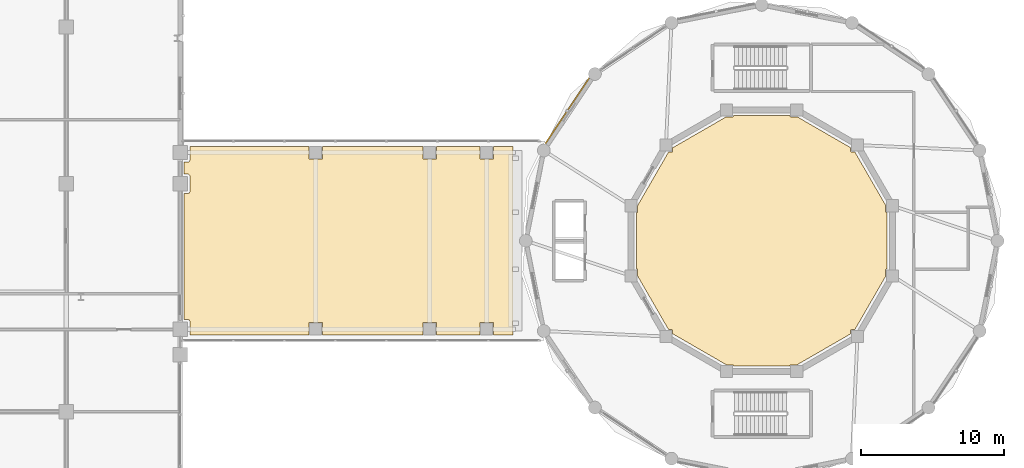
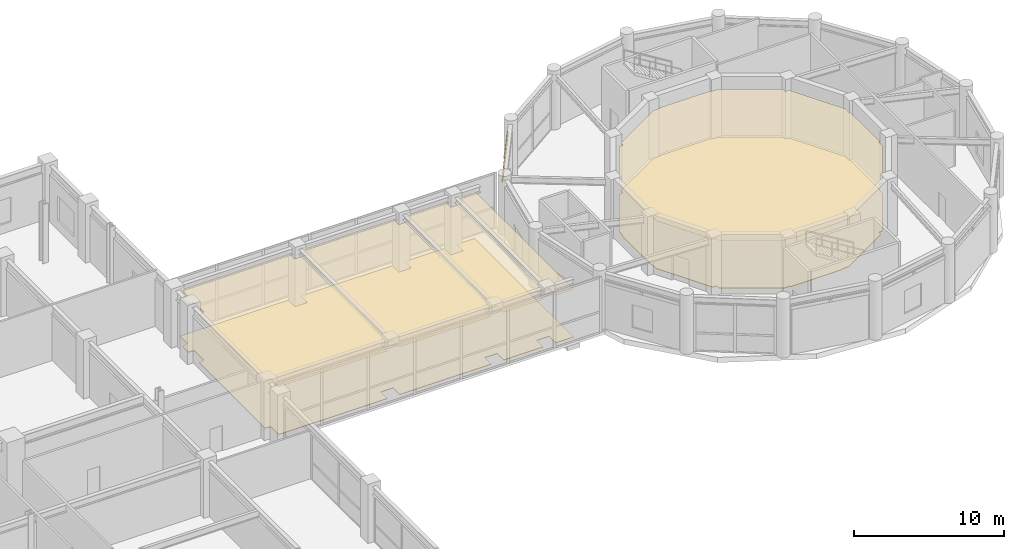
# One storey, part 46 of 48: 4 coverings, 1 shading device.
"""IFC4 building model written with IfcOpenShell, lengths in metres."""

from ifc_helpers import new_model, si_unit, derived_unit, direction, frame, origin, origin_2d, place, context, subcontext, project, spatial, polyline, hollow_rectangle, outline, extrude, source, transform, mapped, material, layer, layer_set, material_profile, profile_set, type_object, element, save


model = new_model("IFC4")

# Units and contexts
model_context = context("Model", 3, precision=1e-05, world=origin(), true_north=direction((0.0, 1.0)))
body_context = subcontext(model_context, "Body", "Model", "MODEL_VIEW")
ifc_project = project(units=[si_unit("LENGTHUNIT", "METRE"), si_unit("AREAUNIT", "SQUARE_METRE"), si_unit("VOLUMEUNIT", "CUBIC_METRE"), si_unit("PLANEANGLEUNIT", "RADIAN"), si_unit("MASSUNIT", "GRAM", prefix="KILO"), derived_unit("THERMALTRANSMITTANCEUNIT", [(si_unit("POWERUNIT", "WATT"), 1), (si_unit("LENGTHUNIT", "METRE"), -2), (si_unit("THERMODYNAMICTEMPERATUREUNIT", "KELVIN"), -1)])], contexts=[model_context])

# Site, building, storey
site_placement = place(None, origin())
site = spatial("IfcSite", under=ifc_project, at=site_placement, CompositionType="ELEMENT")
building_placement = place(site_placement, origin())
building = spatial("IfcBuilding", under=site, at=building_placement, Name="Korsvarv Bourse and Concert Hall", CompositionType="ELEMENT")
storey_placement = place(building_placement, frame((0.0, 0.0, 4.800048828125)))
storey = spatial("IfcBuildingStorey", under=building, at=storey_placement, Name="L01", CompositionType="ELEMENT", Elevation=4.800048828125)

# Coverings
ifc_material_1 = material(Name="Perforated mineral-wool and birch acoustic baffle ceiling", Category="wood")
ifc_layer_1 = layer(ifc_material_1, 0.02490234375)
ifc_layer_set_1 = layer_set([ifc_layer_1], Name="Perforated mineral-wool and birch acoustic baffle ceiling")
covering_type_1 = type_object("IfcCoveringType", Name="COV-CEIL-1", PredefinedType="CEILING", material=ifc_layer_set_1)
covering_1_placement = place(storey_placement, frame((0.0, 0.0, 3.89990234375)))
element("IfcCovering", 1, at=covering_1_placement, inside=storey, type_object=covering_type_1, Name="L01 acoustic baffle ceiling 1", PredefinedType="CEILING", context=body_context, shape_type="SweptSolid", body=[
    extrude(outline(polyline([(66.68994140625, 30.298095703125), (66.68701171875, 30.3330078125), (66.67724609375, 30.36669921875), (66.6611328125, 30.397705078125), (66.639404296875, 30.42529296875), (66.61279296875, 30.44775390625), (66.582275390625, 30.46484375), (66.548828125, 30.4755859375), (66.51416015625, 30.47998046875), (66.260009765625, 30.48583984375), (66.260009765625, 39.31005859375), (66.5, 39.31005859375), (66.534912109375, 39.3134765625), (66.568603515625, 39.323486328125), (66.599365234375, 39.340087890625), (66.626708984375, 39.362060546875), (66.64892578125, 39.38916015625), (66.665771484375, 39.419921875), (66.67626953125, 39.453369140625), (66.679931640625, 39.48828125), (66.68994140625, 40.498291015625), (66.68701171875, 40.533203125), (66.67724609375, 40.566650390625), (66.6611328125, 40.597900390625), (66.639404296875, 40.625244140625), (66.61279296875, 40.647705078125), (66.582275390625, 40.664794921875), (66.548828125, 40.67578125), (66.51416015625, 40.679931640625), (66.260009765625, 40.685791015625), (66.260009765625, 41.510009765625), (66.5, 41.510009765625), (66.534912109375, 41.513427734375), (66.568603515625, 41.5234375), (66.599365234375, 41.5400390625), (66.626708984375, 41.56201171875), (66.64892578125, 41.589111328125), (66.665771484375, 41.619873046875), (66.67626953125, 41.6533203125), (66.679931640625, 41.688232421875), (66.68896484375, 42.60009765625), (75.02490234375, 42.60009765625), (75.02490234375, 41.77490234375), (75.031005859375, 41.75146484375), (75.047119140625, 41.7333984375), (75.070068359375, 41.72509765625), (75.925048828125, 41.72509765625), (75.948486328125, 41.73095703125), (75.966552734375, 41.747314453125), (75.974853515625, 41.77001953125), (75.97509765625, 42.60009765625), (83.02490234375, 42.60009765625), (83.02490234375, 41.77490234375), (83.031005859375, 41.75146484375), (83.047119140625, 41.7333984375), (83.070068359375, 41.72509765625), (83.925048828125, 41.72509765625), (83.948486328125, 41.73095703125), (83.966552734375, 41.747314453125), (83.974853515625, 41.77001953125), (83.97509765625, 42.60009765625), (87.02490234375, 42.60009765625), (87.02490234375, 41.77490234375), (87.031005859375, 41.75146484375), (87.047119140625, 41.7333984375), (87.070068359375, 41.72509765625), (87.925048828125, 41.72509765625), (87.948486328125, 41.73095703125), (87.966552734375, 41.747314453125), (87.974853515625, 41.77001953125), (87.97509765625, 42.60009765625), (89.35009765625, 42.60009765625), (89.35009765625, 29.39990234375), (87.97509765625, 29.39990234375), (87.97509765625, 30.22509765625), (87.968994140625, 30.24853515625), (87.952880859375, 30.2666015625), (87.929931640625, 30.27490234375), (87.074951171875, 30.27490234375), (87.051513671875, 30.26904296875), (87.033447265625, 30.252685546875), (87.025146484375, 30.22998046875), (87.02490234375, 29.39990234375), (83.97509765625, 29.39990234375), (83.97509765625, 30.22509765625), (83.968994140625, 30.24853515625), (83.952880859375, 30.2666015625), (83.929931640625, 30.27490234375), (83.074951171875, 30.27490234375), (83.051513671875, 30.26904296875), (83.033447265625, 30.252685546875), (83.025146484375, 30.22998046875), (83.02490234375, 29.39990234375), (75.97509765625, 29.39990234375), (75.97509765625, 30.22509765625), (75.968994140625, 30.24853515625), (75.952880859375, 30.2666015625), (75.929931640625, 30.27490234375), (75.074951171875, 30.27490234375), (75.051513671875, 30.26904296875), (75.033447265625, 30.252685546875), (75.025146484375, 30.22998046875), (75.02490234375, 29.39990234375), (66.68115234375, 29.39990234375), (66.68994140625, 30.298095703125)])), origin(), (0.0, 0.0, 1.0), 0.025146484375),
])
covering_2_placement = place(storey_placement, frame((0.0, 0.0, 3.89990234375)))
element("IfcCovering", 2, at=covering_2_placement, inside=storey, type_object=covering_type_1, Name="L01 acoustic baffle ceiling 3", PredefinedType="CEILING", context=body_context, shape_type="SweptSolid", body=[
    extrude(outline(polyline([(115.576416015625, 34.01611328125), (115.55126953125, 34.01611328125), (115.527587890625, 34.01025390625), (115.509765625, 33.993896484375), (115.50146484375, 33.97119140625), (115.501220703125, 33.518310546875), (113.329833984375, 29.757568359375), (113.092529296875, 29.757568359375), (113.06884765625, 29.751708984375), (113.05078125, 29.7353515625), (113.042724609375, 29.71240234375), (113.04248046875, 29.47021484375), (109.281494140625, 27.298583984375), (108.833740234375, 27.298583984375), (108.810302734375, 27.292724609375), (108.792236328125, 27.276611328125), (108.783935546875, 27.253662109375), (108.78369140625, 27.2236328125), (104.816162109375, 27.2236328125), (104.816162109375, 27.248779296875), (104.810302734375, 27.272216796875), (104.7939453125, 27.290283203125), (104.77099609375, 27.298583984375), (104.318359375, 27.298583984375), (100.5576171875, 29.47021484375), (100.5576171875, 29.70751953125), (100.551513671875, 29.731201171875), (100.535400390625, 29.7490234375), (100.512451171875, 29.75732421875), (100.270263671875, 29.757568359375), (98.0986328125, 33.518310546875), (98.0986328125, 33.96630859375), (98.0927734375, 33.98974609375), (98.076416015625, 34.0078125), (98.0537109375, 34.01611328125), (98.023681640625, 34.01611328125), (98.023681640625, 37.98388671875), (98.048583984375, 37.98388671875), (98.072265625, 37.98974609375), (98.09033203125, 38.006103515625), (98.098388671875, 38.02880859375), (98.0986328125, 38.481689453125), (100.270263671875, 42.242431640625), (100.507568359375, 42.242431640625), (100.531005859375, 42.248291015625), (100.549072265625, 42.2646484375), (100.557373046875, 42.28759765625), (100.5576171875, 42.52978515625), (104.318359375, 44.701416015625), (104.76611328125, 44.701416015625), (104.789794921875, 44.707275390625), (104.807861328125, 44.723388671875), (104.81591796875, 44.746337890625), (104.816162109375, 44.7763671875), (108.78369140625, 44.7763671875), (108.78369140625, 44.751220703125), (108.789794921875, 44.727783203125), (108.805908203125, 44.709716796875), (108.828857421875, 44.701416015625), (109.281494140625, 44.701416015625), (113.04248046875, 42.52978515625), (113.04248046875, 42.29248046875), (113.04833984375, 42.268798828125), (113.064697265625, 42.2509765625), (113.087646484375, 42.24267578125), (113.329833984375, 42.242431640625), (115.501220703125, 38.481689453125), (115.501220703125, 38.03369140625), (115.507080078125, 38.01025390625), (115.5234375, 37.9921875), (115.54638671875, 37.98388671875), (115.576416015625, 37.98388671875), (115.576416015625, 34.01611328125)])), origin(), (0.0, 0.0, 1.0), 0.025146484375),
])
ifc_material_2 = material(Name="Calcium-sulphate raised access trading floor with Nordic oak top", Category="wood")
ifc_layer_2 = layer(ifc_material_2, 0.0400390625)
ifc_layer_set_2 = layer_set([ifc_layer_2], Name="Calcium-sulphate raised access trading floor with Nordic oak top")
covering_type_2 = type_object("IfcCoveringType", Name="COV-FLOR-1", PredefinedType="FLOORING", material=ifc_layer_set_2)
covering_3_placement = place(storey_placement, origin())
element("IfcCovering", 3, at=covering_3_placement, inside=storey, type_object=covering_type_2, Name="L01 raised access oak floor finish 1", PredefinedType="FLOORING", context=body_context, shape_type="SweptSolid", body=[
    extrude(outline(polyline([(66.68994140625, 30.298095703125), (66.68701171875, 30.3330078125), (66.67724609375, 30.36669921875), (66.6611328125, 30.397705078125), (66.639404296875, 30.42529296875), (66.61279296875, 30.44775390625), (66.582275390625, 30.46484375), (66.548828125, 30.4755859375), (66.51416015625, 30.47998046875), (66.260009765625, 30.48583984375), (66.260009765625, 39.31005859375), (66.5, 39.31005859375), (66.534912109375, 39.3134765625), (66.568603515625, 39.323486328125), (66.599365234375, 39.340087890625), (66.626708984375, 39.362060546875), (66.64892578125, 39.38916015625), (66.665771484375, 39.419921875), (66.67626953125, 39.453369140625), (66.679931640625, 39.48828125), (66.68994140625, 40.498291015625), (66.68701171875, 40.533203125), (66.67724609375, 40.566650390625), (66.6611328125, 40.597900390625), (66.639404296875, 40.625244140625), (66.61279296875, 40.647705078125), (66.582275390625, 40.664794921875), (66.548828125, 40.67578125), (66.51416015625, 40.679931640625), (66.260009765625, 40.685791015625), (66.260009765625, 41.510009765625), (66.5, 41.510009765625), (66.534912109375, 41.513427734375), (66.568603515625, 41.5234375), (66.599365234375, 41.5400390625), (66.626708984375, 41.56201171875), (66.64892578125, 41.589111328125), (66.665771484375, 41.619873046875), (66.67626953125, 41.6533203125), (66.679931640625, 41.688232421875), (66.68896484375, 42.60009765625), (75.02490234375, 42.60009765625), (75.02490234375, 41.77490234375), (75.031005859375, 41.75146484375), (75.047119140625, 41.7333984375), (75.070068359375, 41.72509765625), (75.925048828125, 41.72509765625), (75.948486328125, 41.73095703125), (75.966552734375, 41.747314453125), (75.974853515625, 41.77001953125), (75.97509765625, 42.60009765625), (83.02490234375, 42.60009765625), (83.02490234375, 41.77490234375), (83.031005859375, 41.75146484375), (83.047119140625, 41.7333984375), (83.070068359375, 41.72509765625), (83.925048828125, 41.72509765625), (83.948486328125, 41.73095703125), (83.966552734375, 41.747314453125), (83.974853515625, 41.77001953125), (83.97509765625, 42.60009765625), (87.02490234375, 42.60009765625), (87.02490234375, 41.77490234375), (87.031005859375, 41.75146484375), (87.047119140625, 41.7333984375), (87.070068359375, 41.72509765625), (87.925048828125, 41.72509765625), (87.948486328125, 41.73095703125), (87.966552734375, 41.747314453125), (87.974853515625, 41.77001953125), (87.97509765625, 42.60009765625), (89.35009765625, 42.60009765625), (89.35009765625, 29.39990234375), (87.97509765625, 29.39990234375), (87.97509765625, 30.22509765625), (87.968994140625, 30.24853515625), (87.952880859375, 30.2666015625), (87.929931640625, 30.27490234375), (87.074951171875, 30.27490234375), (87.051513671875, 30.26904296875), (87.033447265625, 30.252685546875), (87.025146484375, 30.22998046875), (87.02490234375, 29.39990234375), (83.97509765625, 29.39990234375), (83.97509765625, 30.22509765625), (83.968994140625, 30.24853515625), (83.952880859375, 30.2666015625), (83.929931640625, 30.27490234375), (83.074951171875, 30.27490234375), (83.051513671875, 30.26904296875), (83.033447265625, 30.252685546875), (83.025146484375, 30.22998046875), (83.02490234375, 29.39990234375), (75.97509765625, 29.39990234375), (75.97509765625, 30.22509765625), (75.968994140625, 30.24853515625), (75.952880859375, 30.2666015625), (75.929931640625, 30.27490234375), (75.074951171875, 30.27490234375), (75.051513671875, 30.26904296875), (75.033447265625, 30.252685546875), (75.025146484375, 30.22998046875), (75.02490234375, 29.39990234375), (66.68115234375, 29.39990234375), (66.68994140625, 30.298095703125)])), origin(), (0.0, 0.0, 1.0), 0.0400390625),
])
covering_4_placement = place(storey_placement, origin())
element("IfcCovering", 4, at=covering_4_placement, inside=storey, type_object=covering_type_2, Name="L01 raised access oak floor finish 3", PredefinedType="FLOORING", context=body_context, shape_type="SweptSolid", body=[
    extrude(outline(polyline([(115.576416015625, 34.01611328125), (115.55126953125, 34.01611328125), (115.527587890625, 34.01025390625), (115.509765625, 33.993896484375), (115.50146484375, 33.97119140625), (115.501220703125, 33.518310546875), (113.329833984375, 29.757568359375), (113.092529296875, 29.757568359375), (113.06884765625, 29.751708984375), (113.05078125, 29.7353515625), (113.042724609375, 29.71240234375), (113.04248046875, 29.47021484375), (109.281494140625, 27.298583984375), (108.833740234375, 27.298583984375), (108.810302734375, 27.292724609375), (108.792236328125, 27.276611328125), (108.783935546875, 27.253662109375), (108.78369140625, 27.2236328125), (104.816162109375, 27.2236328125), (104.816162109375, 27.248779296875), (104.810302734375, 27.272216796875), (104.7939453125, 27.290283203125), (104.77099609375, 27.298583984375), (104.318359375, 27.298583984375), (100.5576171875, 29.47021484375), (100.5576171875, 29.70751953125), (100.551513671875, 29.731201171875), (100.535400390625, 29.7490234375), (100.512451171875, 29.75732421875), (100.270263671875, 29.757568359375), (98.0986328125, 33.518310546875), (98.0986328125, 33.96630859375), (98.0927734375, 33.98974609375), (98.076416015625, 34.0078125), (98.0537109375, 34.01611328125), (98.023681640625, 34.01611328125), (98.023681640625, 37.98388671875), (98.048583984375, 37.98388671875), (98.072265625, 37.98974609375), (98.09033203125, 38.006103515625), (98.098388671875, 38.02880859375), (98.0986328125, 38.481689453125), (100.270263671875, 42.242431640625), (100.507568359375, 42.242431640625), (100.531005859375, 42.248291015625), (100.549072265625, 42.2646484375), (100.557373046875, 42.28759765625), (100.5576171875, 42.52978515625), (104.318359375, 44.701416015625), (104.76611328125, 44.701416015625), (104.789794921875, 44.707275390625), (104.807861328125, 44.723388671875), (104.81591796875, 44.746337890625), (104.816162109375, 44.7763671875), (108.78369140625, 44.7763671875), (108.78369140625, 44.751220703125), (108.789794921875, 44.727783203125), (108.805908203125, 44.709716796875), (108.828857421875, 44.701416015625), (109.281494140625, 44.701416015625), (113.04248046875, 42.52978515625), (113.04248046875, 42.29248046875), (113.04833984375, 42.268798828125), (113.064697265625, 42.2509765625), (113.087646484375, 42.24267578125), (113.329833984375, 42.242431640625), (115.501220703125, 38.481689453125), (115.501220703125, 38.03369140625), (115.507080078125, 38.01025390625), (115.5234375, 37.9921875), (115.54638671875, 37.98388671875), (115.576416015625, 37.98388671875), (115.576416015625, 34.01611328125)])), origin(), (0.0, 0.0, 1.0), 0.0400390625),
])

# Shading device
ifc_material_3 = material(Name="Glazed extruded architectural terracotta", Category="ceramic")
ifc_material_profile = material_profile(ifc_material_3, hollow_rectangle(XDim=0.090087890625, YDim=0.260009765625, WallThickness=0.011962890625, at=origin_2d()), Name="TC-BAG 90x260")
ifc_profile_set = profile_set([ifc_material_profile], Name="Glazed extruded architectural terracotta")
shading_device_type = type_object("IfcShadingDeviceType", Name="SHD-BAG-1", PredefinedType="USERDEFINED", material=ifc_profile_set)
shared_shape = source(origin(), body_context, "Body", "SweptSolid", [
    extrude(hollow_rectangle(XDim=0.090087890625, YDim=0.260009765625, WallThickness=0.011962890625, at=origin_2d()), origin(), (0.0, 0.0, 1.0), 5.54736328125),
])
shading_device_placement = place(storey_placement, frame((94.69921875, 47.42138671875, 3.7900390625), z_axis=(-0.555573305798, -0.831467559129, 0.0), x_axis=(0.831467559129, -0.555573305798, 0.0)))
element("IfcShadingDevice", 5, at=shading_device_placement, inside=storey, type_object=shading_device_type, Name="L01 terracotta baguette sunshade EW-L01-CHD07", ObjectType="BAGUETTE", PredefinedType="USERDEFINED", context=body_context, shape_type="MappedRepresentation", body=[
    mapped(shared_shape, transform((0.0, 0.0, 0.0), scale=1.0)),
])

save(model, "model.ifc")
